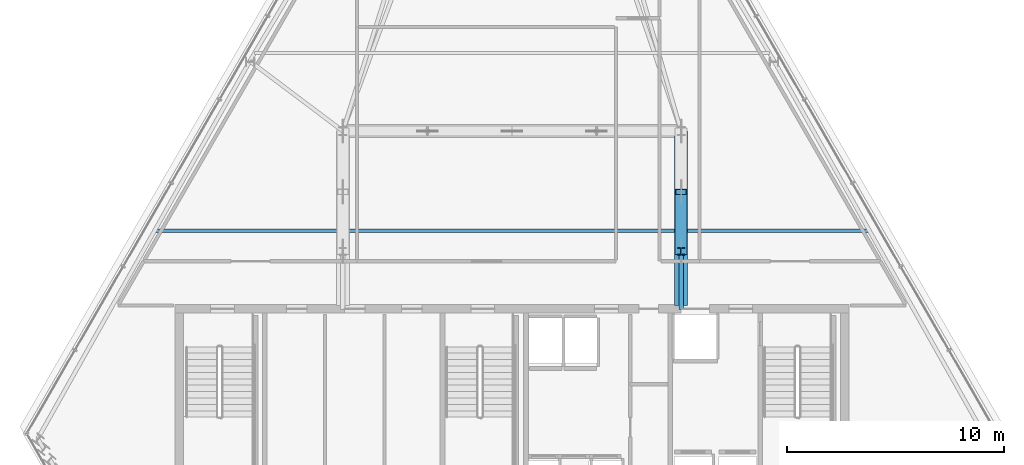
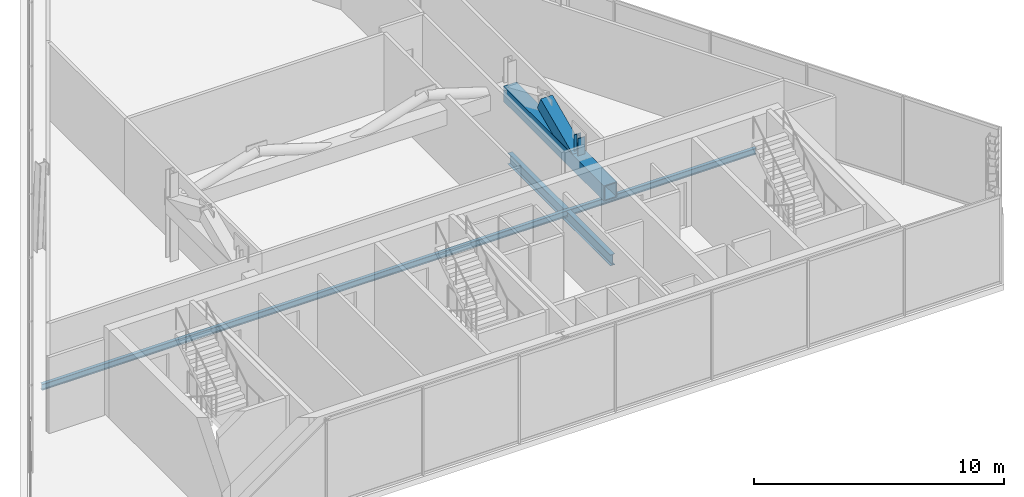
# One storey, part 11 of 32: 3 members, 2 beams.
"""IFC4 building model written with IfcOpenShell, lengths in metres."""

import ifcopenshell
import ifcopenshell.guid

model = None  # the IFC model being written
_history = None  # IfcOwnerHistory: only IFC2X3 demands one
_inside = {}  # id of a spatial element -> (the spatial element, [elements in it])
_under = {}  # id of a project, library or spatial element -> (it, [spatial elements below it])
_declared = {}  # id of a project -> (the project, [libraries it declares])
_typed = {}  # id of a type object -> (the type object, [elements of that type])
_made_of = {}  # id of a material, layer set ... -> (it, [elements and type objects made of it])


def new_model(schema):
    """Start an empty IFC model of exactly this schema.

    Asked for "IFC4X3", IfcOpenShell would pick the latest addendum, in which some entities
    have other attributes; the version numbers below select the first issue.
    IFC2X3 requires an IfcOwnerHistory on every rooted entity: one is made here for all.
    """
    global model, _history
    if schema == "IFC4X3":
        model = ifcopenshell.file(schema_version=(4, 3, 0, 0))
    else:
        model = ifcopenshell.file(schema=schema)
    _inside.clear()
    _under.clear()
    _declared.clear()
    _typed.clear()
    _made_of.clear()
    _history = None
    if model.schema == "IFC2X3":
        org = make("IfcOrganization", Name="unknown")
        user = make(
            "IfcPersonAndOrganization",
            ThePerson=make("IfcPerson", FamilyName="unknown"),
            TheOrganization=org,
        )
        app = make(
            "IfcApplication",
            ApplicationDeveloper=org,
            Version="unknown",
            ApplicationFullName="unknown",
            ApplicationIdentifier="unknown",
        )
        _history = make(
            "IfcOwnerHistory",
            OwningUser=user,
            OwningApplication=app,
            ChangeAction="ADDED",
            CreationDate=0,
        )
    return model


def make(cls, **values):
    """One entity of the class cls with the attributes given. An attribute that is None is left unset."""
    return model.create_entity(
        cls, **{name: value for name, value in values.items() if value is not None}
    )


def rooted(cls, **values):
    """An entity with a GlobalId (a new one), such as an element, a storey or a relation."""
    return make(cls, GlobalId=ifcopenshell.guid.new(), OwnerHistory=_history, **values)


def si_unit(unit_type, name, prefix=None):
    """IfcSIUnit, for example si_unit("LENGTHUNIT", "METRE", prefix="MILLI")."""
    return make("IfcSIUnit", UnitType=unit_type, Prefix=prefix, Name=name)


def assignment(units):
    """IfcUnitAssignment: the units of a project."""
    return None if units is None else make("IfcUnitAssignment", Units=units)


def point(xyz):
    """IfcCartesianPoint."""
    return None if xyz is None else make("IfcCartesianPoint", Coordinates=xyz)


def direction(xyz):
    """IfcDirection."""
    return None if xyz is None else make("IfcDirection", DirectionRatios=xyz)


def frame(location, z_axis=None, x_axis=None):
    """IfcAxis2Placement3D, a coordinate frame: its origin and axes. An axis left out is left unset."""
    return make(
        "IfcAxis2Placement3D",
        Location=point(location),
        Axis=direction(z_axis),
        RefDirection=direction(x_axis),
    )


def frame_2d(location, x_axis=None):
    """IfcAxis2Placement2D, a coordinate frame in the plane: its origin and x axis."""
    return make(
        "IfcAxis2Placement2D", Location=point(location), RefDirection=direction(x_axis)
    )


def origin():
    """The frame at (0, 0, 0) with its axes left unset."""
    return frame((0.0, 0.0, 0.0))


def origin_2d():
    """The frame at (0, 0) in the plane with its x axis left unset."""
    return frame_2d((0.0, 0.0))


def place(relative_to, where):
    """IfcLocalPlacement: puts the frame where relative to a parent placement (None: the world)."""
    return make(
        "IfcLocalPlacement", PlacementRelTo=relative_to, RelativePlacement=where
    )


def context(
    kind, dimensions, precision=None, world=None, true_north=None, identifier=None
):
    """IfcGeometricRepresentationContext, for example the 3D "Model" context."""
    return make(
        "IfcGeometricRepresentationContext",
        ContextIdentifier=identifier,
        ContextType=kind,
        CoordinateSpaceDimension=dimensions,
        Precision=precision,
        WorldCoordinateSystem=world,
        TrueNorth=true_north,
    )


def subcontext(parent, identifier, kind, view, scale=None):
    """IfcGeometricRepresentationSubContext, for example "Body" below "Model"."""
    return make(
        "IfcGeometricRepresentationSubContext",
        ContextIdentifier=identifier,
        ContextType=kind,
        ParentContext=parent,
        TargetScale=scale,
        TargetView=view,
    )


def project(units=None, contexts=None):
    """IfcProject with its units and contexts."""
    return rooted(
        "IfcProject",
        Name="project",
        RepresentationContexts=contexts,
        UnitsInContext=assignment(units),
    )


def spatial(cls, under=None, at=None, **own):
    """A site, building, storey or space (cls), placed at a placement, below another one or the project."""
    s = rooted(cls, ObjectPlacement=at, **own)
    if under is not None:
        _under.setdefault(under.id(), (under, []))[1].append(s)
    return s


def profile(cls, at=None, kind="AREA", **sizes):
    """A parametric profile (cls). Its sizes go by their IFC names, for example OverallWidth=200.0."""
    return make(cls, ProfileType=kind, Position=at, **sizes)


def hollow_rectangle(**sizes):
    """IfcRectangleHollowProfileDef."""
    return profile("IfcRectangleHollowProfileDef", **sizes)


def i_section(**sizes):
    """IfcIShapeProfileDef."""
    return profile("IfcIShapeProfileDef", **sizes)


def extrude(swept, where, along, depth):
    """IfcExtrudedAreaSolid: the profile swept, set in the frame where, extruded along a direction by depth."""
    return make(
        "IfcExtrudedAreaSolid",
        SweptArea=swept,
        Position=where,
        ExtrudedDirection=direction(along),
        Depth=depth,
    )


def shape(context_of_items, identifier, shape_type, items):
    """IfcShapeRepresentation: the items that make up one representation, for example the "Body"."""
    return make(
        "IfcShapeRepresentation",
        ContextOfItems=context_of_items,
        RepresentationIdentifier=identifier,
        RepresentationType=shape_type,
        Items=items,
    )


def material(Name=None, Category=None):
    """IfcMaterial."""
    return make("IfcMaterial", Name=Name, Category=Category)


def material_profile(
    of_material, cross_section, Name=None, Category=None, Priority=None
):
    """IfcMaterialProfile: a cross section and its material."""
    return make(
        "IfcMaterialProfile",
        Name=Name,
        Material=of_material,
        Profile=cross_section,
        Priority=Priority,
        Category=Category,
    )


def profile_set(profiles, Name=None, composite=None):
    """IfcMaterialProfileSet."""
    return make(
        "IfcMaterialProfileSet",
        Name=Name,
        MaterialProfiles=profiles,
        CompositeProfile=composite,
    )


def made_of(thing, what):
    """Note that an element or type object is made of a material, layer set ...; save() writes the relation."""
    if what is not None:
        _made_of.setdefault(what.id(), (what, []))[1].append(thing)
    return thing


def type_object(cls, material=None, **own):
    """A type object (cls), such as IfcWallType, which elements share."""
    return made_of(rooted(cls, **own), material)


def element(
    cls,
    number,
    at=None,
    inside=None,
    cuts=None,
    type_object=None,
    material=None,
    context=None,
    identifier="Body",
    shape_type=None,
    held_by="IfcProductDefinitionShape",
    body=None,
    shapes=None,
    **own,
):
    """One element of the class cls, such as IfcWall. Its Tag is "e" and its number.

    at: its placement. inside: the storey or other place that contains it. cuts: it is an
    opening in that element (IfcRelVoidsElement). A single representation is given by context,
    identifier, shape_type and body (its items); several are given by shapes. held_by: the class
    of the entity that holds the representations. save() writes the other relations.
    """
    e = rooted(cls, Tag="e%d" % number, ObjectPlacement=at, **own)
    if body is not None:
        shapes = [shape(context, identifier, shape_type, body)]
    if shapes is not None:
        e.Representation = make(held_by, Representations=shapes)
    if inside is not None:
        _inside.setdefault(inside.id(), (inside, []))[1].append(e)
    if cuts is not None:
        rooted(
            "IfcRelVoidsElement", RelatingBuildingElement=cuts, RelatedOpeningElement=e
        )
    if type_object is not None:
        _typed.setdefault(type_object.id(), (type_object, []))[1].append(e)
    return made_of(e, material)


def aggregate(whole, parts):
    """IfcRelAggregates: a whole, such as a stair, and the parts it consists of."""
    return rooted("IfcRelAggregates", RelatingObject=whole, RelatedObjects=parts)


def save(model, path):
    """Write the relations noted so far, then the file.

    IfcRelAggregates (storeys below a building ...), IfcRelContainedInSpatialStructure (elements
    in a storey), IfcRelDefinesByType, IfcRelAssociatesMaterial and IfcRelDeclares: one each for
    every whole, place, type object, material and project.
    """
    for whole, parts in _under.values():
        aggregate(whole, parts)
    for where, things in _inside.values():
        rooted(
            "IfcRelContainedInSpatialStructure",
            RelatedElements=things,
            RelatingStructure=where,
        )
    for kind, things in _typed.values():
        rooted("IfcRelDefinesByType", RelatedObjects=things, RelatingType=kind)
    for what, things in _made_of.values():
        rooted("IfcRelAssociatesMaterial", RelatedObjects=things, RelatingMaterial=what)
    for by, libraries in _declared.values():
        rooted("IfcRelDeclares", RelatingContext=by, RelatedDefinitions=libraries)
    model.write(path)


model = new_model("IFC4")

# Units and contexts
model_context = context("Model", 3, precision=1e-05, world=origin(), true_north=direction((0.0, 1.0)))
body_context = subcontext(model_context, "Body", "Model", "MODEL_VIEW")
ifc_project = project(units=[si_unit("LENGTHUNIT", "METRE"), si_unit("AREAUNIT", "SQUARE_METRE"), si_unit("VOLUMEUNIT", "CUBIC_METRE"), si_unit("PLANEANGLEUNIT", "RADIAN"), si_unit("MASSUNIT", "GRAM", prefix="KILO")], contexts=[model_context])

# Site, building, storey
site_placement = place(None, origin())
site = spatial("IfcSite", under=ifc_project, at=site_placement, CompositionType="ELEMENT")
building_placement = place(site_placement, origin())
building = spatial("IfcBuilding", under=site, at=building_placement, Name="Ndaravel Arena Tower", CompositionType="ELEMENT")
storey_placement = place(building_placement, frame((0.0, 0.0, 278.800048828125)))
storey = spatial("IfcBuildingStorey", under=building, at=storey_placement, Name="L68", CompositionType="ELEMENT", Elevation=278.800048828125)

# Beams
ifc_material_1 = material(Name="Steel S355", Category="steel")
ifc_material_profile_1 = material_profile(ifc_material_1, i_section(OverallWidth=0.210693359375, OverallDepth=0.53955078125, WebThickness=0.01171875, FlangeThickness=0.018798828125, FilletRadius=0.0126953125, at=origin_2d()), Name="UB 533x210x109")
ifc_profile_set_1 = profile_set([ifc_material_profile_1], Name="Steel S355")
beam_type_1 = type_object("IfcBeamType", Name="BM-GIRD-UB533", PredefinedType="BEAM", material=ifc_profile_set_1)
beam_1_placement = place(storey_placement, frame((49.800048828125, 14.97998046875, -0.5498046875), z_axis=(0.0, 1.0, 0.0), x_axis=(-1.0, 0.0, 0.0)))
element("IfcBeam", 1, at=beam_1_placement, inside=storey, type_object=beam_type_1, Name="L68 Spine Link Girder SLG-02", PredefinedType="BEAM", context=body_context, shape_type="SweptSolid", body=[
    extrude(i_section(OverallWidth=0.210693359375, OverallDepth=0.53955078125, WebThickness=0.01171875, FlangeThickness=0.018798828125, FilletRadius=0.0126953125, at=origin_2d()), origin(), (0.0, 0.0, 1.0), 8.219970703125),
])
ifc_material_2 = material(Name="Steel S355", Category="steel")
ifc_material_profile_2 = material_profile(ifc_material_2, i_section(OverallWidth=0.14990234375, OverallDepth=0.300048828125, WebThickness=0.007080078125, FlangeThickness=0.0107421875, FilletRadius=0.014892578125, at=origin_2d()), Name="IPE 300")
ifc_profile_set_2 = profile_set([ifc_material_profile_2], Name="Steel S355")
beam_type_2 = type_object("IfcBeamType", Name="BM-JOIST-IPE300", PredefinedType="JOIST", material=ifc_profile_set_2)
beam_2_placement = place(storey_placement, frame((25.515380859375, 18.60009765625, -0.429931640625), z_axis=(1.0, 0.0, 0.0), x_axis=(0.0, 1.0, 0.0)))
element("IfcBeam", 2, at=beam_2_placement, inside=storey, type_object=beam_type_2, Name="L68 Composite Floor Joist FJ-01", PredefinedType="JOIST", context=body_context, shape_type="SweptSolid", body=[
    extrude(i_section(OverallWidth=0.14990234375, OverallDepth=0.300048828125, WebThickness=0.007080078125, FlangeThickness=0.0107421875, FilletRadius=0.014892578125, at=origin_2d()), origin(), (0.0, 0.0, 1.0), 32.96923828125),
])

# Members
ifc_material_3 = material(Name="Steel S460", Category="steel")
ifc_material_profile_3 = material_profile(ifc_material_3, hollow_rectangle(XDim=0.60009765625, YDim=0.75, WallThickness=0.044921875, at=origin_2d()), Name="BOX 750x600x45")
ifc_profile_set_3 = profile_set([ifc_material_profile_3], Name="Steel S460")
member_type_1 = type_object("IfcMemberType", Name="MEM-OT-CHORD", PredefinedType="CHORD", material=ifc_profile_set_3)
member_1_placement = place(storey_placement, frame((49.800048828125, 15.159912109375, 2.679931640625), z_axis=(0.0, 1.0, 0.0), x_axis=(-1.0, 0.0, 0.0)))
element("IfcMember", 3, at=member_1_placement, inside=storey, type_object=member_type_1, Name="Outrigger Truss OT-3.2 Bottom Chord", PredefinedType="CHORD", context=body_context, shape_type="SweptSolid", body=[
    extrude(hollow_rectangle(XDim=0.60009765625, YDim=0.75, WallThickness=0.044921875, at=origin_2d()), origin(), (0.0, 0.0, 1.0), 8.0400390625),
])
ifc_material_4 = material(Name="Steel S460", Category="steel")
ifc_material_profile_4 = material_profile(ifc_material_4, hollow_rectangle(XDim=0.550048828125, YDim=0.64990234375, WallThickness=0.0400390625, at=origin_2d()), Name="BOX 650x550x40")
ifc_profile_set_4 = profile_set([ifc_material_profile_4], Name="Steel S460")
member_type_2 = type_object("IfcMemberType", Name="MEM-OT-DIAG", PredefinedType="BRACE", material=ifc_profile_set_4)
member_2_placement = place(storey_placement, frame((49.800048828125, 17.64990234375, 2.679931640625), z_axis=(0.0, 0.914089090143, 0.405513421826), x_axis=(-1.0, 0.0, 0.0)))
element("IfcMember", 4, at=member_2_placement, inside=storey, type_object=member_type_2, Name="Outrigger Truss OT-3.2 Diagonal 1", PredefinedType="BRACE", context=body_context, shape_type="SweptSolid", body=[
    extrude(hollow_rectangle(XDim=0.550048828125, YDim=0.64990234375, WallThickness=0.0400390625, at=origin_2d()), origin(), (0.0, 0.0, 1.0), 3.008544921875),
])
ifc_material_5 = material(Name="Steel S460", Category="steel")
ifc_material_profile_5 = material_profile(ifc_material_5, i_section(OverallWidth=0.314453125, OverallDepth=0.33984375, WebThickness=0.01904296875, FlangeThickness=0.031494140625, FilletRadius=0.01513671875, at=origin_2d()), Name="UC 305x305x198")
ifc_profile_set_5 = profile_set([ifc_material_profile_5], Name="Steel S460")
member_type_3 = type_object("IfcMemberType", Name="MEM-OT-POST", PredefinedType="POST", material=ifc_profile_set_5)
member_3_placement = place(storey_placement, frame((49.800048828125, 17.64990234375, 2.679931640625), z_axis=(0.0, 0.0, 1.0), x_axis=(1.0, 0.0, 0.0)))
element("IfcMember", 5, at=member_3_placement, inside=storey, type_object=member_type_3, Name="Outrigger Truss OT-3.2 King Post", PredefinedType="POST", context=body_context, shape_type="SweptSolid", body=[
    extrude(i_section(OverallWidth=0.314453125, OverallDepth=0.33984375, WebThickness=0.01904296875, FlangeThickness=0.031494140625, FilletRadius=0.01513671875, at=origin_2d()), origin(), (0.0, 0.0, 1.0), 1.219970703125),
])

save(model, "model.ifc")
